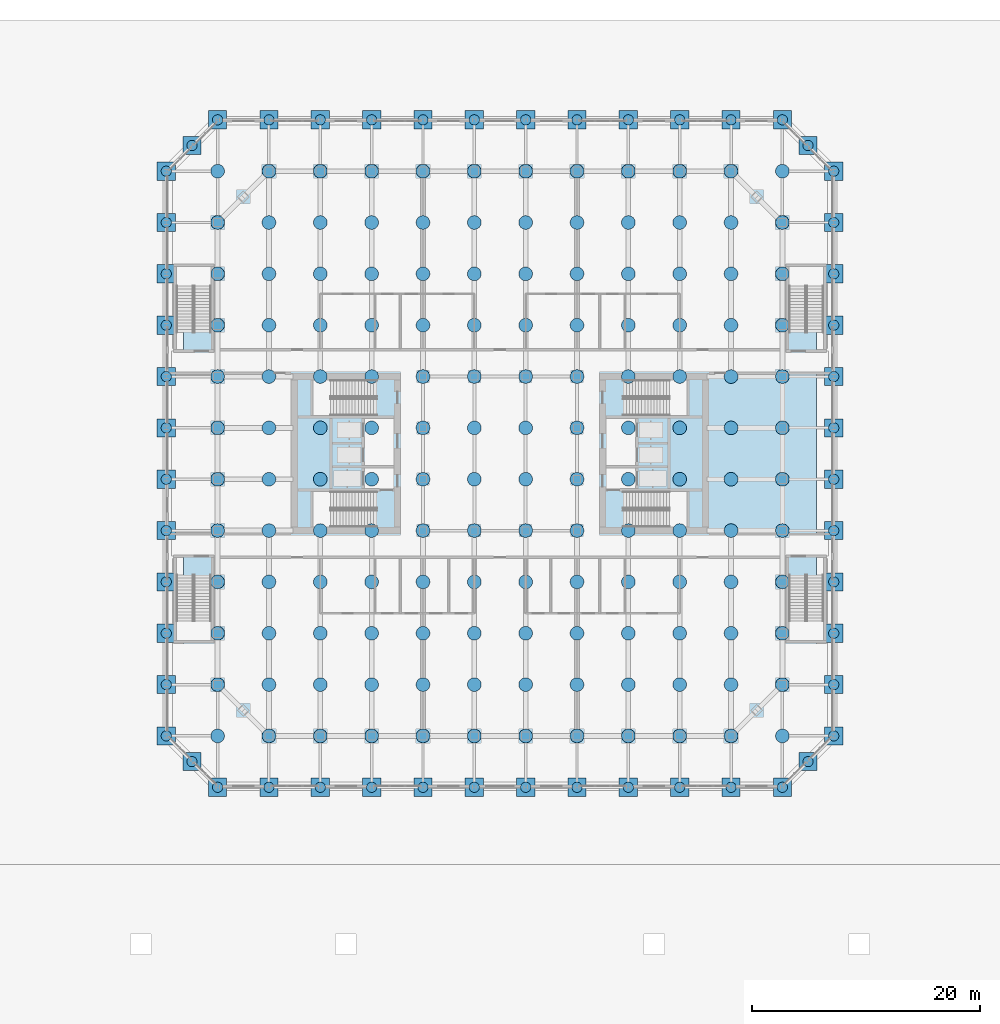
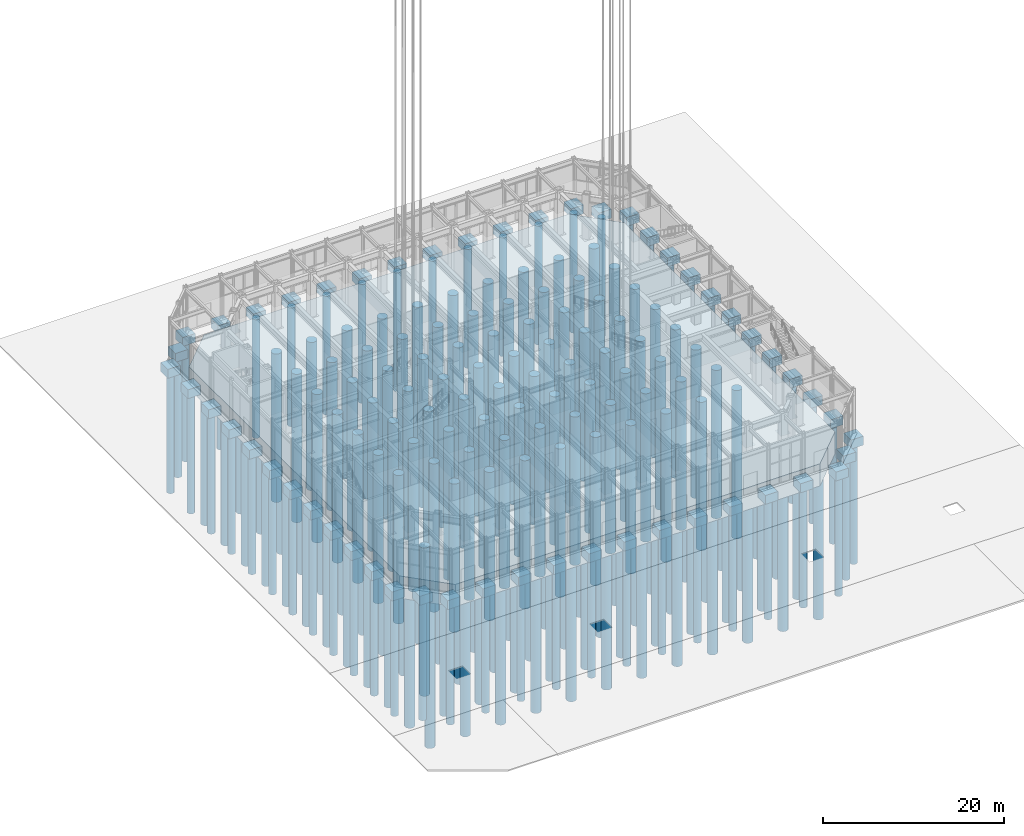
# One storey, part 1 of 39: 196 piles, 53 footings.
"""IFC4 building model written with IfcOpenShell, lengths in metres."""

from ifc_helpers import new_model, si_unit, direction, frame, origin, origin_2d, place, context, subcontext, project, spatial, polyline, rectangle, circle, outline, extrude, material, material_profile, profile_set, type_object, element, save


model = new_model("IFC4")

# Units and contexts
model_context = context("Model", 3, precision=1e-05, world=origin(), true_north=direction((0.0, 1.0)))
body_context = subcontext(model_context, "Body", "Model", "MODEL_VIEW")
ifc_project = project(units=[si_unit("LENGTHUNIT", "METRE"), si_unit("AREAUNIT", "SQUARE_METRE"), si_unit("VOLUMEUNIT", "CUBIC_METRE"), si_unit("PLANEANGLEUNIT", "RADIAN"), si_unit("MASSUNIT", "GRAM", prefix="KILO")], contexts=[model_context])

# Site, building, storey
site_placement = place(None, origin())
site = spatial("IfcSite", under=ifc_project, at=site_placement, CompositionType="ELEMENT")
building_placement = place(site_placement, origin())
building = spatial("IfcBuilding", under=site, at=building_placement, Name="Msasa Ring Tower", CompositionType="ELEMENT")
storey_placement = place(building_placement, origin())
storey = spatial("IfcBuildingStorey", under=building, at=storey_placement, Name="L00", CompositionType="ELEMENT", Elevation=0.0)

# Piles
ifc_material_1 = material(Name="Concrete C40/50", Category="concrete")
ifc_material_profile_1 = material_profile(ifc_material_1, circle(Radius=0.60009765625, at=origin_2d()), Name="D1200")
ifc_profile_set_1 = profile_set([ifc_material_profile_1], Name="Concrete C40/50")
pile_type_1 = type_object("IfcPileType", Name="P1 BORED PILE D1200", PredefinedType="BORED", material=ifc_profile_set_1)
for number, where, z_axis, x_axis, name in (
    (1, (-24.75, -24.75, -3.300048828125), (0.0, 0.0, -1.0), (1.0, 0.0, 0.0), "Raft pile P1 -24.75 -24.75"),
    (2, (-24.75, -20.25, -3.300048828125), (0.0, 0.0, -1.0), (1.0, 0.0, 0.0), "Raft pile P1 -24.75 -20.25"),
    (3, (-24.75, -15.75, -3.300048828125), (0.0, 0.0, -1.0), (1.0, 0.0, 0.0), "Raft pile P1 -24.75 -15.75"),
    (4, (-24.75, -11.25, -3.300048828125), (0.0, 0.0, -1.0), (1.0, 0.0, 0.0), "Raft pile P1 -24.75 -11.25"),
    (5, (-24.75, -6.75, -3.300048828125), (0.0, 0.0, -1.0), (1.0, 0.0, 0.0), "Raft pile P1 -24.75 -6.75"),
    (6, (-24.75, -2.25, -3.300048828125), (0.0, 0.0, -1.0), (1.0, 0.0, 0.0), "Raft pile P1 -24.75 -2.25"),
    (7, (-24.75, 2.25, -3.300048828125), (0.0, 0.0, -1.0), (1.0, 0.0, 0.0), "Raft pile P1 -24.75 +2.25"),
    (8, (-24.75, 6.75, -3.300048828125), (0.0, 0.0, -1.0), (1.0, 0.0, 0.0), "Raft pile P1 -24.75 +6.75"),
    (9, (-24.75, 11.25, -3.300048828125), (0.0, 0.0, -1.0), (1.0, 0.0, 0.0), "Raft pile P1 -24.75 +11.25"),
    (10, (-24.75, 15.75, -3.300048828125), (0.0, 0.0, -1.0), (1.0, 0.0, 0.0), "Raft pile P1 -24.75 +15.75"),
    (11, (-24.75, 20.25, -3.300048828125), (0.0, 0.0, -1.0), (1.0, 0.0, 0.0), "Raft pile P1 -24.75 +20.25"),
    (12, (-24.75, 24.75, -3.300048828125), (0.0, 0.0, -1.0), (1.0, 0.0, 0.0), "Raft pile P1 -24.75 +24.75"),
    (13, (-20.25, -24.75, -3.300048828125), (0.0, 0.0, -1.0), (1.0, 0.0, 0.0), "Raft pile P1 -20.25 -24.75"),
    (14, (-20.25, -20.25, -3.300048828125), (0.0, 0.0, -1.0), (1.0, 0.0, 0.0), "Raft pile P1 -20.25 -20.25"),
    (15, (-20.25, -15.75, -3.300048828125), (0.0, 0.0, -1.0), (1.0, 0.0, 0.0), "Raft pile P1 -20.25 -15.75"),
    (16, (-20.25, -11.25, -3.300048828125), (0.0, 0.0, -1.0), (1.0, 0.0, 0.0), "Raft pile P1 -20.25 -11.25"),
    (17, (-20.25, -6.75, -3.300048828125), (0.0, 0.0, -1.0), (1.0, 0.0, 0.0), "Raft pile P1 -20.25 -6.75"),
    (18, (-20.25, -2.25, -3.300048828125), (0.0, 0.0, -1.0), (1.0, 0.0, 0.0), "Raft pile P1 -20.25 -2.25"),
    (19, (-20.25, 2.25, -3.300048828125), (0.0, 0.0, -1.0), (1.0, 0.0, 0.0), "Raft pile P1 -20.25 +2.25"),
    (20, (-20.25, 6.75, -3.300048828125), (0.0, 0.0, -1.0), (1.0, 0.0, 0.0), "Raft pile P1 -20.25 +6.75"),
    (21, (-20.25, 11.25, -3.300048828125), (0.0, 0.0, -1.0), (1.0, 0.0, 0.0), "Raft pile P1 -20.25 +11.25"),
    (22, (-20.25, 15.75, -3.300048828125), (0.0, 0.0, -1.0), (1.0, 0.0, 0.0), "Raft pile P1 -20.25 +15.75"),
    (23, (-20.25, 20.25, -3.300048828125), (0.0, 0.0, -1.0), (1.0, 0.0, 0.0), "Raft pile P1 -20.25 +20.25"),
    (24, (-20.25, 24.75, -3.300048828125), (0.0, 0.0, -1.0), (1.0, 0.0, 0.0), "Raft pile P1 -20.25 +24.75"),
    (25, (-15.75, -24.75, -3.300048828125), (0.0, 0.0, -1.0), (1.0, 0.0, 0.0), "Raft pile P1 -15.75 -24.75"),
    (26, (-15.75, -20.25, -3.300048828125), (0.0, 0.0, -1.0), (1.0, 0.0, 0.0), "Raft pile P1 -15.75 -20.25"),
    (27, (-15.75, -15.75, -3.300048828125), (0.0, 0.0, -1.0), (1.0, 0.0, 0.0), "Raft pile P1 -15.75 -15.75"),
    (28, (-15.75, -11.25, -3.300048828125), (0.0, 0.0, -1.0), (1.0, 0.0, 0.0), "Raft pile P1 -15.75 -11.25"),
    (29, (-15.75, -6.75, -3.300048828125), (0.0, 0.0, -1.0), (1.0, 0.0, 0.0), "Raft pile P1 -15.75 -6.75"),
    (30, (-15.75, -2.25, -3.300048828125), (0.0, 0.0, -1.0), (1.0, 0.0, 0.0), "Raft pile P1 -15.75 -2.25"),
    (31, (-15.75, 2.25, -3.300048828125), (0.0, 0.0, -1.0), (1.0, 0.0, 0.0), "Raft pile P1 -15.75 +2.25"),
    (32, (-15.75, 6.75, -3.300048828125), (0.0, 0.0, -1.0), (1.0, 0.0, 0.0), "Raft pile P1 -15.75 +6.75"),
    (33, (-15.75, 11.25, -3.300048828125), (0.0, 0.0, -1.0), (1.0, 0.0, 0.0), "Raft pile P1 -15.75 +11.25"),
    (34, (-15.75, 15.75, -3.300048828125), (0.0, 0.0, -1.0), (1.0, 0.0, 0.0), "Raft pile P1 -15.75 +15.75"),
    (35, (-15.75, 20.25, -3.300048828125), (0.0, 0.0, -1.0), (1.0, 0.0, 0.0), "Raft pile P1 -15.75 +20.25"),
    (36, (-15.75, 24.75, -3.300048828125), (0.0, 0.0, -1.0), (1.0, 0.0, 0.0), "Raft pile P1 -15.75 +24.75"),
    (37, (-11.25, -24.75, -3.300048828125), (0.0, 0.0, -1.0), (1.0, 0.0, 0.0), "Raft pile P1 -11.25 -24.75"),
    (38, (-11.25, -20.25, -3.300048828125), (0.0, 0.0, -1.0), (1.0, 0.0, 0.0), "Raft pile P1 -11.25 -20.25"),
    (39, (-11.25, -15.75, -3.300048828125), (0.0, 0.0, -1.0), (1.0, 0.0, 0.0), "Raft pile P1 -11.25 -15.75"),
    (40, (-11.25, -11.25, -3.300048828125), (0.0, 0.0, -1.0), (1.0, 0.0, 0.0), "Raft pile P1 -11.25 -11.25"),
    (41, (-11.25, -6.75, -3.300048828125), (0.0, 0.0, -1.0), (1.0, 0.0, 0.0), "Raft pile P1 -11.25 -6.75"),
    (42, (-11.25, -2.25, -3.300048828125), (0.0, 0.0, -1.0), (1.0, 0.0, 0.0), "Raft pile P1 -11.25 -2.25"),
    (43, (-11.25, 2.25, -3.300048828125), (0.0, 0.0, -1.0), (1.0, 0.0, 0.0), "Raft pile P1 -11.25 +2.25"),
    (44, (-11.25, 6.75, -3.300048828125), (0.0, 0.0, -1.0), (1.0, 0.0, 0.0), "Raft pile P1 -11.25 +6.75"),
    (45, (-11.25, 11.25, -3.300048828125), (0.0, 0.0, -1.0), (1.0, 0.0, 0.0), "Raft pile P1 -11.25 +11.25"),
    (46, (-11.25, 15.75, -3.300048828125), (0.0, 0.0, -1.0), (1.0, 0.0, 0.0), "Raft pile P1 -11.25 +15.75"),
    (47, (-11.25, 20.25, -3.300048828125), (0.0, 0.0, -1.0), (1.0, 0.0, 0.0), "Raft pile P1 -11.25 +20.25"),
    (48, (-11.25, 24.75, -3.300048828125), (0.0, 0.0, -1.0), (1.0, 0.0, 0.0), "Raft pile P1 -11.25 +24.75"),
    (49, (-6.75, -24.75, -3.300048828125), (0.0, 0.0, -1.0), (1.0, 0.0, 0.0), "Raft pile P1 -6.75 -24.75"),
    (50, (-6.75, -20.25, -3.300048828125), (0.0, 0.0, -1.0), (1.0, 0.0, 0.0), "Raft pile P1 -6.75 -20.25"),
    (51, (-6.75, -15.75, -3.300048828125), (0.0, 0.0, -1.0), (1.0, 0.0, 0.0), "Raft pile P1 -6.75 -15.75"),
    (52, (-6.75, -11.25, -3.300048828125), (0.0, 0.0, -1.0), (1.0, 0.0, 0.0), "Raft pile P1 -6.75 -11.25"),
    (53, (-6.75, -6.75, -3.300048828125), (0.0, 0.0, -1.0), (1.0, 0.0, 0.0), "Raft pile P1 -6.75 -6.75"),
    (54, (-6.75, -2.25, -3.300048828125), (0.0, 0.0, -1.0), (1.0, 0.0, 0.0), "Raft pile P1 -6.75 -2.25"),
    (55, (-6.75, 2.25, -3.300048828125), (0.0, 0.0, -1.0), (1.0, 0.0, 0.0), "Raft pile P1 -6.75 +2.25"),
    (56, (-6.75, 6.75, -3.300048828125), (0.0, 0.0, -1.0), (1.0, 0.0, 0.0), "Raft pile P1 -6.75 +6.75"),
    (57, (-6.75, 11.25, -3.300048828125), (0.0, 0.0, -1.0), (1.0, 0.0, 0.0), "Raft pile P1 -6.75 +11.25"),
    (58, (-6.75, 15.75, -3.300048828125), (0.0, 0.0, -1.0), (1.0, 0.0, 0.0), "Raft pile P1 -6.75 +15.75"),
    (59, (-6.75, 20.25, -3.300048828125), (0.0, 0.0, -1.0), (1.0, 0.0, 0.0), "Raft pile P1 -6.75 +20.25"),
    (60, (-6.75, 24.75, -3.300048828125), (0.0, 0.0, -1.0), (1.0, 0.0, 0.0), "Raft pile P1 -6.75 +24.75"),
    (61, (-2.25, -24.75, -3.300048828125), (0.0, 0.0, -1.0), (1.0, 0.0, 0.0), "Raft pile P1 -2.25 -24.75"),
    (62, (-2.25, -20.25, -3.300048828125), (0.0, 0.0, -1.0), (1.0, 0.0, 0.0), "Raft pile P1 -2.25 -20.25"),
    (63, (-2.25, -15.75, -3.300048828125), (0.0, 0.0, -1.0), (1.0, 0.0, 0.0), "Raft pile P1 -2.25 -15.75"),
    (64, (-2.25, -11.25, -3.300048828125), (0.0, 0.0, -1.0), (1.0, 0.0, 0.0), "Raft pile P1 -2.25 -11.25"),
    (65, (-2.25, -6.75, -3.300048828125), (0.0, 0.0, -1.0), (1.0, 0.0, 0.0), "Raft pile P1 -2.25 -6.75"),
    (66, (-2.25, -2.25, -3.300048828125), (0.0, 0.0, -1.0), (1.0, 0.0, 0.0), "Raft pile P1 -2.25 -2.25"),
    (67, (-2.25, 2.25, -3.300048828125), (0.0, 0.0, -1.0), (1.0, 0.0, 0.0), "Raft pile P1 -2.25 +2.25"),
    (68, (-2.25, 6.75, -3.300048828125), (0.0, 0.0, -1.0), (1.0, 0.0, 0.0), "Raft pile P1 -2.25 +6.75"),
    (69, (-2.25, 11.25, -3.300048828125), (0.0, 0.0, -1.0), (1.0, 0.0, 0.0), "Raft pile P1 -2.25 +11.25"),
    (70, (-2.25, 15.75, -3.300048828125), (0.0, 0.0, -1.0), (1.0, 0.0, 0.0), "Raft pile P1 -2.25 +15.75"),
    (71, (-2.25, 20.25, -3.300048828125), (0.0, 0.0, -1.0), (1.0, 0.0, 0.0), "Raft pile P1 -2.25 +20.25"),
    (72, (-2.25, 24.75, -3.300048828125), (0.0, 0.0, -1.0), (1.0, 0.0, 0.0), "Raft pile P1 -2.25 +24.75"),
    (73, (2.25, -24.75, -3.300048828125), (0.0, 0.0, -1.0), (1.0, 0.0, 0.0), "Raft pile P1 +2.25 -24.75"),
    (74, (2.25, -20.25, -3.300048828125), (0.0, 0.0, -1.0), (1.0, 0.0, 0.0), "Raft pile P1 +2.25 -20.25"),
    (75, (2.25, -15.75, -3.300048828125), (0.0, 0.0, -1.0), (1.0, 0.0, 0.0), "Raft pile P1 +2.25 -15.75"),
    (76, (2.25, -11.25, -3.300048828125), (0.0, 0.0, -1.0), (1.0, 0.0, 0.0), "Raft pile P1 +2.25 -11.25"),
    (77, (2.25, -6.75, -3.300048828125), (0.0, 0.0, -1.0), (1.0, 0.0, 0.0), "Raft pile P1 +2.25 -6.75"),
    (78, (2.25, -2.25, -3.300048828125), (0.0, 0.0, -1.0), (1.0, 0.0, 0.0), "Raft pile P1 +2.25 -2.25"),
    (79, (2.25, 2.25, -3.300048828125), (0.0, 0.0, -1.0), (1.0, 0.0, 0.0), "Raft pile P1 +2.25 +2.25"),
    (80, (2.25, 6.75, -3.300048828125), (0.0, 0.0, -1.0), (1.0, 0.0, 0.0), "Raft pile P1 +2.25 +6.75"),
    (81, (2.25, 11.25, -3.300048828125), (0.0, 0.0, -1.0), (1.0, 0.0, 0.0), "Raft pile P1 +2.25 +11.25"),
    (82, (2.25, 15.75, -3.300048828125), (0.0, 0.0, -1.0), (1.0, 0.0, 0.0), "Raft pile P1 +2.25 +15.75"),
    (83, (2.25, 20.25, -3.300048828125), (0.0, 0.0, -1.0), (1.0, 0.0, 0.0), "Raft pile P1 +2.25 +20.25"),
    (84, (2.25, 24.75, -3.300048828125), (0.0, 0.0, -1.0), (1.0, 0.0, 0.0), "Raft pile P1 +2.25 +24.75"),
    (85, (6.75, -24.75, -3.300048828125), (0.0, 0.0, -1.0), (1.0, 0.0, 0.0), "Raft pile P1 +6.75 -24.75"),
    (86, (6.75, -20.25, -3.300048828125), (0.0, 0.0, -1.0), (1.0, 0.0, 0.0), "Raft pile P1 +6.75 -20.25"),
    (87, (6.75, -15.75, -3.300048828125), (0.0, 0.0, -1.0), (1.0, 0.0, 0.0), "Raft pile P1 +6.75 -15.75"),
    (88, (6.75, -11.25, -3.300048828125), (0.0, 0.0, -1.0), (1.0, 0.0, 0.0), "Raft pile P1 +6.75 -11.25"),
    (89, (6.75, -6.75, -3.300048828125), (0.0, 0.0, -1.0), (1.0, 0.0, 0.0), "Raft pile P1 +6.75 -6.75"),
    (90, (6.75, -2.25, -3.300048828125), (0.0, 0.0, -1.0), (1.0, 0.0, 0.0), "Raft pile P1 +6.75 -2.25"),
    (91, (6.75, 2.25, -3.300048828125), (0.0, 0.0, -1.0), (1.0, 0.0, 0.0), "Raft pile P1 +6.75 +2.25"),
    (92, (6.75, 6.75, -3.300048828125), (0.0, 0.0, -1.0), (1.0, 0.0, 0.0), "Raft pile P1 +6.75 +6.75"),
    (93, (6.75, 11.25, -3.300048828125), (0.0, 0.0, -1.0), (1.0, 0.0, 0.0), "Raft pile P1 +6.75 +11.25"),
    (94, (6.75, 15.75, -3.300048828125), (0.0, 0.0, -1.0), (1.0, 0.0, 0.0), "Raft pile P1 +6.75 +15.75"),
    (95, (6.75, 20.25, -3.300048828125), (0.0, 0.0, -1.0), (1.0, 0.0, 0.0), "Raft pile P1 +6.75 +20.25"),
    (96, (6.75, 24.75, -3.300048828125), (0.0, 0.0, -1.0), (1.0, 0.0, 0.0), "Raft pile P1 +6.75 +24.75"),
    (97, (11.25, -24.75, -3.300048828125), (0.0, 0.0, -1.0), (1.0, 0.0, 0.0), "Raft pile P1 +11.25 -24.75"),
    (98, (11.25, -20.25, -3.300048828125), (0.0, 0.0, -1.0), (1.0, 0.0, 0.0), "Raft pile P1 +11.25 -20.25"),
    (99, (11.25, -15.75, -3.300048828125), (0.0, 0.0, -1.0), (1.0, 0.0, 0.0), "Raft pile P1 +11.25 -15.75"),
    (100, (11.25, -11.25, -3.300048828125), (0.0, 0.0, -1.0), (1.0, 0.0, 0.0), "Raft pile P1 +11.25 -11.25"),
    (101, (11.25, -6.75, -3.300048828125), (0.0, 0.0, -1.0), (1.0, 0.0, 0.0), "Raft pile P1 +11.25 -6.75"),
    (102, (11.25, -2.25, -3.300048828125), (0.0, 0.0, -1.0), (1.0, 0.0, 0.0), "Raft pile P1 +11.25 -2.25"),
    (103, (11.25, 2.25, -3.300048828125), (0.0, 0.0, -1.0), (1.0, 0.0, 0.0), "Raft pile P1 +11.25 +2.25"),
    (104, (11.25, 6.75, -3.300048828125), (0.0, 0.0, -1.0), (1.0, 0.0, 0.0), "Raft pile P1 +11.25 +6.75"),
    (105, (11.25, 11.25, -3.300048828125), (0.0, 0.0, -1.0), (1.0, 0.0, 0.0), "Raft pile P1 +11.25 +11.25"),
    (106, (11.25, 15.75, -3.300048828125), (0.0, 0.0, -1.0), (1.0, 0.0, 0.0), "Raft pile P1 +11.25 +15.75"),
    (107, (11.25, 20.25, -3.300048828125), (0.0, 0.0, -1.0), (1.0, 0.0, 0.0), "Raft pile P1 +11.25 +20.25"),
    (108, (11.25, 24.75, -3.300048828125), (0.0, 0.0, -1.0), (1.0, 0.0, 0.0), "Raft pile P1 +11.25 +24.75"),
    (109, (15.75, -24.75, -3.300048828125), (0.0, 0.0, -1.0), (1.0, 0.0, 0.0), "Raft pile P1 +15.75 -24.75"),
    (110, (15.75, -20.25, -3.300048828125), (0.0, 0.0, -1.0), (1.0, 0.0, 0.0), "Raft pile P1 +15.75 -20.25"),
    (111, (15.75, -15.75, -3.300048828125), (0.0, 0.0, -1.0), (1.0, 0.0, 0.0), "Raft pile P1 +15.75 -15.75"),
    (112, (15.75, -11.25, -3.300048828125), (0.0, 0.0, -1.0), (1.0, 0.0, 0.0), "Raft pile P1 +15.75 -11.25"),
    (113, (15.75, -6.75, -3.300048828125), (0.0, 0.0, -1.0), (1.0, 0.0, 0.0), "Raft pile P1 +15.75 -6.75"),
    (114, (15.75, -2.25, -3.300048828125), (0.0, 0.0, -1.0), (1.0, 0.0, 0.0), "Raft pile P1 +15.75 -2.25"),
    (115, (15.75, 2.25, -3.300048828125), (0.0, 0.0, -1.0), (1.0, 0.0, 0.0), "Raft pile P1 +15.75 +2.25"),
    (116, (15.75, 6.75, -3.300048828125), (0.0, 0.0, -1.0), (1.0, 0.0, 0.0), "Raft pile P1 +15.75 +6.75"),
    (117, (15.75, 11.25, -3.300048828125), (0.0, 0.0, -1.0), (1.0, 0.0, 0.0), "Raft pile P1 +15.75 +11.25"),
    (118, (15.75, 15.75, -3.300048828125), (0.0, 0.0, -1.0), (1.0, 0.0, 0.0), "Raft pile P1 +15.75 +15.75"),
    (119, (15.75, 20.25, -3.300048828125), (0.0, 0.0, -1.0), (1.0, 0.0, 0.0), "Raft pile P1 +15.75 +20.25"),
    (120, (15.75, 24.75, -3.300048828125), (0.0, 0.0, -1.0), (1.0, 0.0, 0.0), "Raft pile P1 +15.75 +24.75"),
    (121, (20.25, -24.75, -3.300048828125), (0.0, 0.0, -1.0), (1.0, 0.0, 0.0), "Raft pile P1 +20.25 -24.75"),
    (122, (20.25, -20.25, -3.300048828125), (0.0, 0.0, -1.0), (1.0, 0.0, 0.0), "Raft pile P1 +20.25 -20.25"),
    (123, (20.25, -15.75, -3.300048828125), (0.0, 0.0, -1.0), (1.0, 0.0, 0.0), "Raft pile P1 +20.25 -15.75"),
    (124, (20.25, -11.25, -3.300048828125), (0.0, 0.0, -1.0), (1.0, 0.0, 0.0), "Raft pile P1 +20.25 -11.25"),
    (125, (20.25, -6.75, -3.300048828125), (0.0, 0.0, -1.0), (1.0, 0.0, 0.0), "Raft pile P1 +20.25 -6.75"),
    (126, (20.25, -2.25, -3.300048828125), (0.0, 0.0, -1.0), (1.0, 0.0, 0.0), "Raft pile P1 +20.25 -2.25"),
    (127, (20.25, 2.25, -3.300048828125), (0.0, 0.0, -1.0), (1.0, 0.0, 0.0), "Raft pile P1 +20.25 +2.25"),
    (128, (20.25, 6.75, -3.300048828125), (0.0, 0.0, -1.0), (1.0, 0.0, 0.0), "Raft pile P1 +20.25 +6.75"),
    (129, (20.25, 11.25, -3.300048828125), (0.0, 0.0, -1.0), (1.0, 0.0, 0.0), "Raft pile P1 +20.25 +11.25"),
    (130, (20.25, 15.75, -3.300048828125), (0.0, 0.0, -1.0), (1.0, 0.0, 0.0), "Raft pile P1 +20.25 +15.75"),
    (131, (20.25, 20.25, -3.300048828125), (0.0, 0.0, -1.0), (1.0, 0.0, 0.0), "Raft pile P1 +20.25 +20.25"),
    (132, (20.25, 24.75, -3.300048828125), (0.0, 0.0, -1.0), (1.0, 0.0, 0.0), "Raft pile P1 +20.25 +24.75"),
    (133, (24.75, -24.75, -3.300048828125), (0.0, 0.0, -1.0), (1.0, 0.0, 0.0), "Raft pile P1 +24.75 -24.75"),
    (134, (24.75, -20.25, -3.300048828125), (0.0, 0.0, -1.0), (1.0, 0.0, 0.0), "Raft pile P1 +24.75 -20.25"),
    (135, (24.75, -15.75, -3.300048828125), (0.0, 0.0, -1.0), (1.0, 0.0, 0.0), "Raft pile P1 +24.75 -15.75"),
    (136, (24.75, -11.25, -3.300048828125), (0.0, 0.0, -1.0), (1.0, 0.0, 0.0), "Raft pile P1 +24.75 -11.25"),
    (137, (24.75, -6.75, -3.300048828125), (0.0, 0.0, -1.0), (1.0, 0.0, 0.0), "Raft pile P1 +24.75 -6.75"),
    (138, (24.75, -2.25, -3.300048828125), (0.0, 0.0, -1.0), (1.0, 0.0, 0.0), "Raft pile P1 +24.75 -2.25"),
    (139, (24.75, 2.25, -3.300048828125), (0.0, 0.0, -1.0), (1.0, 0.0, 0.0), "Raft pile P1 +24.75 +2.25"),
    (140, (24.75, 6.75, -3.300048828125), (0.0, 0.0, -1.0), (1.0, 0.0, 0.0), "Raft pile P1 +24.75 +6.75"),
    (141, (24.75, 11.25, -3.300048828125), (0.0, 0.0, -1.0), (1.0, 0.0, 0.0), "Raft pile P1 +24.75 +11.25"),
    (142, (24.75, 15.75, -3.300048828125), (0.0, 0.0, -1.0), (1.0, 0.0, 0.0), "Raft pile P1 +24.75 +15.75"),
    (143, (24.75, 20.25, -3.300048828125), (0.0, 0.0, -1.0), (1.0, 0.0, 0.0), "Raft pile P1 +24.75 +20.25"),
    (144, (24.75, 24.75, -3.300048828125), (0.0, 0.0, -1.0), (1.0, 0.0, 0.0), "Raft pile P1 +24.75 +24.75"),
):
    element("IfcPile", number, at=place(storey_placement, frame(where, z_axis=z_axis, x_axis=x_axis)), inside=storey, type_object=pile_type_1, Name=name, PredefinedType="BORED", context=body_context, shape_type="SweptSolid", body=[
        extrude(circle(Radius=0.60009765625, at=origin_2d()), origin(), (0.0, 0.0, 1.0), 20.0),
    ])
ifc_material_2 = material(Name="Concrete C40/50", Category="concrete")
ifc_material_profile_2 = material_profile(ifc_material_2, circle(Radius=0.449951171875, at=origin_2d()), Name="D900")
ifc_profile_set_2 = profile_set([ifc_material_profile_2], Name="Concrete C40/50")
pile_type_2 = type_object("IfcPileType", Name="P2 BORED PILE D900", PredefinedType="BORED", material=ifc_profile_set_2)
for number, where, z_axis, x_axis, name in (
    (145, (-24.75, -29.25, -1.5), (0.0, 0.0, -1.0), (1.0, 0.0, 0.0), "Podium pile P2 S-24.75"),
    (146, (-24.75, 29.25, -1.5), (0.0, 0.0, -1.0), (1.0, 0.0, 0.0), "Podium pile P2 N-24.75"),
    (147, (29.25, -24.75, -1.5), (0.0, 0.0, -1.0), (1.0, 0.0, 0.0), "Podium pile P2 E-24.75"),
    (148, (-29.25, -24.75, -1.5), (0.0, 0.0, -1.0), (1.0, 0.0, 0.0), "Podium pile P2 W-24.75"),
    (149, (-20.25, -29.25, -1.5), (0.0, 0.0, -1.0), (1.0, 0.0, 0.0), "Podium pile P2 S-20.25"),
    (150, (-20.25, 29.25, -1.5), (0.0, 0.0, -1.0), (1.0, 0.0, 0.0), "Podium pile P2 N-20.25"),
    (151, (29.25, -20.25, -1.5), (0.0, 0.0, -1.0), (1.0, 0.0, 0.0), "Podium pile P2 E-20.25"),
    (152, (-29.25, -20.25, -1.5), (0.0, 0.0, -1.0), (1.0, 0.0, 0.0), "Podium pile P2 W-20.25"),
    (153, (-15.75, -29.25, -1.5), (0.0, 0.0, -1.0), (1.0, 0.0, 0.0), "Podium pile P2 S-15.75"),
    (154, (-15.75, 29.25, -1.5), (0.0, 0.0, -1.0), (1.0, 0.0, 0.0), "Podium pile P2 N-15.75"),
    (155, (29.25, -15.75, -1.5), (0.0, 0.0, -1.0), (1.0, 0.0, 0.0), "Podium pile P2 E-15.75"),
    (156, (-29.25, -15.75, -1.5), (0.0, 0.0, -1.0), (1.0, 0.0, 0.0), "Podium pile P2 W-15.75"),
    (157, (-11.25, -29.25, -1.5), (0.0, 0.0, -1.0), (1.0, 0.0, 0.0), "Podium pile P2 S-11.25"),
    (158, (-11.25, 29.25, -1.5), (0.0, 0.0, -1.0), (1.0, 0.0, 0.0), "Podium pile P2 N-11.25"),
    (159, (29.25, -11.25, -1.5), (0.0, 0.0, -1.0), (1.0, 0.0, 0.0), "Podium pile P2 E-11.25"),
    (160, (-29.25, -11.25, -1.5), (0.0, 0.0, -1.0), (1.0, 0.0, 0.0), "Podium pile P2 W-11.25"),
    (161, (-6.75, -29.25, -1.5), (0.0, 0.0, -1.0), (1.0, 0.0, 0.0), "Podium pile P2 S-6.75"),
    (162, (-6.75, 29.25, -1.5), (0.0, 0.0, -1.0), (1.0, 0.0, 0.0), "Podium pile P2 N-6.75"),
    (163, (29.25, -6.75, -1.5), (0.0, 0.0, -1.0), (1.0, 0.0, 0.0), "Podium pile P2 E-6.75"),
    (164, (-29.25, -6.75, -1.5), (0.0, 0.0, -1.0), (1.0, 0.0, 0.0), "Podium pile P2 W-6.75"),
    (165, (-2.25, -29.25, -1.5), (0.0, 0.0, -1.0), (1.0, 0.0, 0.0), "Podium pile P2 S-2.25"),
    (166, (-2.25, 29.25, -1.5), (0.0, 0.0, -1.0), (1.0, 0.0, 0.0), "Podium pile P2 N-2.25"),
    (167, (29.25, -2.25, -1.5), (0.0, 0.0, -1.0), (1.0, 0.0, 0.0), "Podium pile P2 E-2.25"),
    (168, (-29.25, -2.25, -1.5), (0.0, 0.0, -1.0), (1.0, 0.0, 0.0), "Podium pile P2 W-2.25"),
    (169, (2.25, -29.25, -1.5), (0.0, 0.0, -1.0), (1.0, 0.0, 0.0), "Podium pile P2 S+2.25"),
    (170, (2.25, 29.25, -1.5), (0.0, 0.0, -1.0), (1.0, 0.0, 0.0), "Podium pile P2 N+2.25"),
    (171, (29.25, 2.25, -1.5), (0.0, 0.0, -1.0), (1.0, 0.0, 0.0), "Podium pile P2 E+2.25"),
    (172, (-29.25, 2.25, -1.5), (0.0, 0.0, -1.0), (1.0, 0.0, 0.0), "Podium pile P2 W+2.25"),
    (173, (6.75, -29.25, -1.5), (0.0, 0.0, -1.0), (1.0, 0.0, 0.0), "Podium pile P2 S+6.75"),
    (174, (6.75, 29.25, -1.5), (0.0, 0.0, -1.0), (1.0, 0.0, 0.0), "Podium pile P2 N+6.75"),
    (175, (29.25, 6.75, -1.5), (0.0, 0.0, -1.0), (1.0, 0.0, 0.0), "Podium pile P2 E+6.75"),
    (176, (-29.25, 6.75, -1.5), (0.0, 0.0, -1.0), (1.0, 0.0, 0.0), "Podium pile P2 W+6.75"),
    (177, (11.25, -29.25, -1.5), (0.0, 0.0, -1.0), (1.0, 0.0, 0.0), "Podium pile P2 S+11.25"),
    (178, (11.25, 29.25, -1.5), (0.0, 0.0, -1.0), (1.0, 0.0, 0.0), "Podium pile P2 N+11.25"),
    (179, (29.25, 11.25, -1.5), (0.0, 0.0, -1.0), (1.0, 0.0, 0.0), "Podium pile P2 E+11.25"),
    (180, (-29.25, 11.25, -1.5), (0.0, 0.0, -1.0), (1.0, 0.0, 0.0), "Podium pile P2 W+11.25"),
    (181, (15.75, -29.25, -1.5), (0.0, 0.0, -1.0), (1.0, 0.0, 0.0), "Podium pile P2 S+15.75"),
    (182, (15.75, 29.25, -1.5), (0.0, 0.0, -1.0), (1.0, 0.0, 0.0), "Podium pile P2 N+15.75"),
    (183, (29.25, 15.75, -1.5), (0.0, 0.0, -1.0), (1.0, 0.0, 0.0), "Podium pile P2 E+15.75"),
    (184, (-29.25, 15.75, -1.5), (0.0, 0.0, -1.0), (1.0, 0.0, 0.0), "Podium pile P2 W+15.75"),
    (185, (20.25, -29.25, -1.5), (0.0, 0.0, -1.0), (1.0, 0.0, 0.0), "Podium pile P2 S+20.25"),
    (186, (20.25, 29.25, -1.5), (0.0, 0.0, -1.0), (1.0, 0.0, 0.0), "Podium pile P2 N+20.25"),
    (187, (29.25, 20.25, -1.5), (0.0, 0.0, -1.0), (1.0, 0.0, 0.0), "Podium pile P2 E+20.25"),
    (188, (-29.25, 20.25, -1.5), (0.0, 0.0, -1.0), (1.0, 0.0, 0.0), "Podium pile P2 W+20.25"),
    (189, (24.75, -29.25, -1.5), (0.0, 0.0, -1.0), (1.0, 0.0, 0.0), "Podium pile P2 S+24.75"),
    (190, (24.75, 29.25, -1.5), (0.0, 0.0, -1.0), (1.0, 0.0, 0.0), "Podium pile P2 N+24.75"),
    (191, (29.25, 24.75, -1.5), (0.0, 0.0, -1.0), (1.0, 0.0, 0.0), "Podium pile P2 E+24.75"),
    (192, (-29.25, 24.75, -1.5), (0.0, 0.0, -1.0), (1.0, 0.0, 0.0), "Podium pile P2 W+24.75"),
    (193, (27.0, -27.0, -1.5), (0.0, 0.0, -1.0), (1.0, 0.0, 0.0), "Podium pile P2 SE"),
    (194, (27.0, 27.0, -1.5), (0.0, 0.0, -1.0), (1.0, 0.0, 0.0), "Podium pile P2 NE"),
    (195, (-27.0, 27.0, -1.5), (0.0, 0.0, -1.0), (1.0, 0.0, 0.0), "Podium pile P2 NW"),
    (196, (-27.0, -27.0, -1.5), (0.0, 0.0, -1.0), (1.0, 0.0, 0.0), "Podium pile P2 SW"),
):
    element("IfcPile", number, at=place(storey_placement, frame(where, z_axis=z_axis, x_axis=x_axis)), inside=storey, type_object=pile_type_2, Name=name, PredefinedType="BORED", context=body_context, shape_type="SweptSolid", body=[
        extrude(circle(Radius=0.449951171875, at=origin_2d()), origin(), (0.0, 0.0, 1.0), 16.0),
    ])

# Footings
ifc_material_3 = material(Name="Concrete C40/50", Category="concrete")
footing_type_1 = type_object("IfcFootingType", Name="PC1 PILE CAP 1600x1600x1200", PredefinedType="PILE_CAP", material=ifc_material_3)
for number, where, z_axis, x_axis, name in (
    (197, (-24.75, -29.25, -1.5), (0.0, 0.0, 1.0), (1.0, 0.0, 0.0), "Podium pile cap PC1 S-24.75"),
    (198, (-24.75, 29.25, -1.5), (0.0, 0.0, 1.0), (1.0, 0.0, 0.0), "Podium pile cap PC1 N-24.75"),
    (199, (29.25, -24.75, -1.5), (0.0, 0.0, 1.0), (1.0, 0.0, 0.0), "Podium pile cap PC1 E-24.75"),
    (200, (-29.25, -24.75, -1.5), (0.0, 0.0, 1.0), (1.0, 0.0, 0.0), "Podium pile cap PC1 W-24.75"),
    (201, (-20.25, -29.25, -1.5), (0.0, 0.0, 1.0), (1.0, 0.0, 0.0), "Podium pile cap PC1 S-20.25"),
    (202, (-20.25, 29.25, -1.5), (0.0, 0.0, 1.0), (1.0, 0.0, 0.0), "Podium pile cap PC1 N-20.25"),
    (203, (29.25, -20.25, -1.5), (0.0, 0.0, 1.0), (1.0, 0.0, 0.0), "Podium pile cap PC1 E-20.25"),
    (204, (-29.25, -20.25, -1.5), (0.0, 0.0, 1.0), (1.0, 0.0, 0.0), "Podium pile cap PC1 W-20.25"),
    (205, (-15.75, -29.25, -1.5), (0.0, 0.0, 1.0), (1.0, 0.0, 0.0), "Podium pile cap PC1 S-15.75"),
    (206, (-15.75, 29.25, -1.5), (0.0, 0.0, 1.0), (1.0, 0.0, 0.0), "Podium pile cap PC1 N-15.75"),
    (207, (29.25, -15.75, -1.5), (0.0, 0.0, 1.0), (1.0, 0.0, 0.0), "Podium pile cap PC1 E-15.75"),
    (208, (-29.25, -15.75, -1.5), (0.0, 0.0, 1.0), (1.0, 0.0, 0.0), "Podium pile cap PC1 W-15.75"),
    (209, (-11.25, -29.25, -1.5), (0.0, 0.0, 1.0), (1.0, 0.0, 0.0), "Podium pile cap PC1 S-11.25"),
    (210, (-11.25, 29.25, -1.5), (0.0, 0.0, 1.0), (1.0, 0.0, 0.0), "Podium pile cap PC1 N-11.25"),
    (211, (29.25, -11.25, -1.5), (0.0, 0.0, 1.0), (1.0, 0.0, 0.0), "Podium pile cap PC1 E-11.25"),
    (212, (-29.25, -11.25, -1.5), (0.0, 0.0, 1.0), (1.0, 0.0, 0.0), "Podium pile cap PC1 W-11.25"),
    (213, (-6.75, -29.25, -1.5), (0.0, 0.0, 1.0), (1.0, 0.0, 0.0), "Podium pile cap PC1 S-6.75"),
    (214, (-6.75, 29.25, -1.5), (0.0, 0.0, 1.0), (1.0, 0.0, 0.0), "Podium pile cap PC1 N-6.75"),
    (215, (29.25, -6.75, -1.5), (0.0, 0.0, 1.0), (1.0, 0.0, 0.0), "Podium pile cap PC1 E-6.75"),
    (216, (-29.25, -6.75, -1.5), (0.0, 0.0, 1.0), (1.0, 0.0, 0.0), "Podium pile cap PC1 W-6.75"),
    (217, (-2.25, -29.25, -1.5), (0.0, 0.0, 1.0), (1.0, 0.0, 0.0), "Podium pile cap PC1 S-2.25"),
    (218, (-2.25, 29.25, -1.5), (0.0, 0.0, 1.0), (1.0, 0.0, 0.0), "Podium pile cap PC1 N-2.25"),
    (219, (29.25, -2.25, -1.5), (0.0, 0.0, 1.0), (1.0, 0.0, 0.0), "Podium pile cap PC1 E-2.25"),
    (220, (-29.25, -2.25, -1.5), (0.0, 0.0, 1.0), (1.0, 0.0, 0.0), "Podium pile cap PC1 W-2.25"),
    (221, (2.25, -29.25, -1.5), (0.0, 0.0, 1.0), (1.0, 0.0, 0.0), "Podium pile cap PC1 S+2.25"),
    (222, (2.25, 29.25, -1.5), (0.0, 0.0, 1.0), (1.0, 0.0, 0.0), "Podium pile cap PC1 N+2.25"),
    (223, (29.25, 2.25, -1.5), (0.0, 0.0, 1.0), (1.0, 0.0, 0.0), "Podium pile cap PC1 E+2.25"),
    (224, (-29.25, 2.25, -1.5), (0.0, 0.0, 1.0), (1.0, 0.0, 0.0), "Podium pile cap PC1 W+2.25"),
    (225, (6.75, -29.25, -1.5), (0.0, 0.0, 1.0), (1.0, 0.0, 0.0), "Podium pile cap PC1 S+6.75"),
    (226, (6.75, 29.25, -1.5), (0.0, 0.0, 1.0), (1.0, 0.0, 0.0), "Podium pile cap PC1 N+6.75"),
    (227, (29.25, 6.75, -1.5), (0.0, 0.0, 1.0), (1.0, 0.0, 0.0), "Podium pile cap PC1 E+6.75"),
    (228, (-29.25, 6.75, -1.5), (0.0, 0.0, 1.0), (1.0, 0.0, 0.0), "Podium pile cap PC1 W+6.75"),
    (229, (11.25, -29.25, -1.5), (0.0, 0.0, 1.0), (1.0, 0.0, 0.0), "Podium pile cap PC1 S+11.25"),
    (230, (11.25, 29.25, -1.5), (0.0, 0.0, 1.0), (1.0, 0.0, 0.0), "Podium pile cap PC1 N+11.25"),
    (231, (29.25, 11.25, -1.5), (0.0, 0.0, 1.0), (1.0, 0.0, 0.0), "Podium pile cap PC1 E+11.25"),
    (232, (-29.25, 11.25, -1.5), (0.0, 0.0, 1.0), (1.0, 0.0, 0.0), "Podium pile cap PC1 W+11.25"),
    (233, (15.75, -29.25, -1.5), (0.0, 0.0, 1.0), (1.0, 0.0, 0.0), "Podium pile cap PC1 S+15.75"),
    (234, (15.75, 29.25, -1.5), (0.0, 0.0, 1.0), (1.0, 0.0, 0.0), "Podium pile cap PC1 N+15.75"),
    (235, (29.25, 15.75, -1.5), (0.0, 0.0, 1.0), (1.0, 0.0, 0.0), "Podium pile cap PC1 E+15.75"),
    (236, (-29.25, 15.75, -1.5), (0.0, 0.0, 1.0), (1.0, 0.0, 0.0), "Podium pile cap PC1 W+15.75"),
    (237, (20.25, -29.25, -1.5), (0.0, 0.0, 1.0), (1.0, 0.0, 0.0), "Podium pile cap PC1 S+20.25"),
    (238, (20.25, 29.25, -1.5), (0.0, 0.0, 1.0), (1.0, 0.0, 0.0), "Podium pile cap PC1 N+20.25"),
    (239, (29.25, 20.25, -1.5), (0.0, 0.0, 1.0), (1.0, 0.0, 0.0), "Podium pile cap PC1 E+20.25"),
    (240, (-29.25, 20.25, -1.5), (0.0, 0.0, 1.0), (1.0, 0.0, 0.0), "Podium pile cap PC1 W+20.25"),
    (241, (24.75, -29.25, -1.5), (0.0, 0.0, 1.0), (1.0, 0.0, 0.0), "Podium pile cap PC1 S+24.75"),
    (242, (24.75, 29.25, -1.5), (0.0, 0.0, 1.0), (1.0, 0.0, 0.0), "Podium pile cap PC1 N+24.75"),
    (243, (29.25, 24.75, -1.5), (0.0, 0.0, 1.0), (1.0, 0.0, 0.0), "Podium pile cap PC1 E+24.75"),
    (244, (-29.25, 24.75, -1.5), (0.0, 0.0, 1.0), (1.0, 0.0, 0.0), "Podium pile cap PC1 W+24.75"),
    (245, (27.0, -27.0, -1.5), (0.0, 0.0, 1.0), (1.0, 0.0, 0.0), "Podium pile cap PC1 SE"),
    (246, (27.0, 27.0, -1.5), (0.0, 0.0, 1.0), (1.0, 0.0, 0.0), "Podium pile cap PC1 NE"),
    (247, (-27.0, 27.0, -1.5), (0.0, 0.0, 1.0), (1.0, 0.0, 0.0), "Podium pile cap PC1 NW"),
    (248, (-27.0, -27.0, -1.5), (0.0, 0.0, 1.0), (1.0, 0.0, 0.0), "Podium pile cap PC1 SW"),
):
    element("IfcFooting", number, at=place(storey_placement, frame(where, z_axis=z_axis, x_axis=x_axis)), inside=storey, type_object=footing_type_1, Name=name, PredefinedType="PILE_CAP", context=body_context, shape_type="SweptSolid", body=[
        extrude(rectangle(XDim=1.60009765625, YDim=1.60009765625, at=origin_2d()), origin(), (0.0, 0.0, 1.0), 1.199951171875),
    ])
ifc_material_4 = material(Name="Concrete C40/50", Category="concrete")
footing_type_2 = type_object("IfcFootingType", Name="RF1 PILED RAFT 3000", PredefinedType="USERDEFINED", material=ifc_material_4)
footing_placement = place(storey_placement, frame((0.0, 0.0, -3.300048828125)))
element("IfcFooting", 249, at=footing_placement, inside=storey, type_object=footing_type_2, Name="Tower piled raft RF1", ObjectType="RAFT", PredefinedType="USERDEFINED", context=body_context, shape_type="SweptSolid", body=[
    extrude(outline(polyline([(-23.25, -27.75), (23.25, -27.75), (27.75, -23.25), (27.75, 23.25), (23.25, 27.75), (-23.25, 27.75), (-27.75, 23.25), (-27.75, -23.25), (-23.25, -27.75)])), origin(), (0.0, 0.0, 1.0), 3.0),
])

save(model, "model.ifc")
